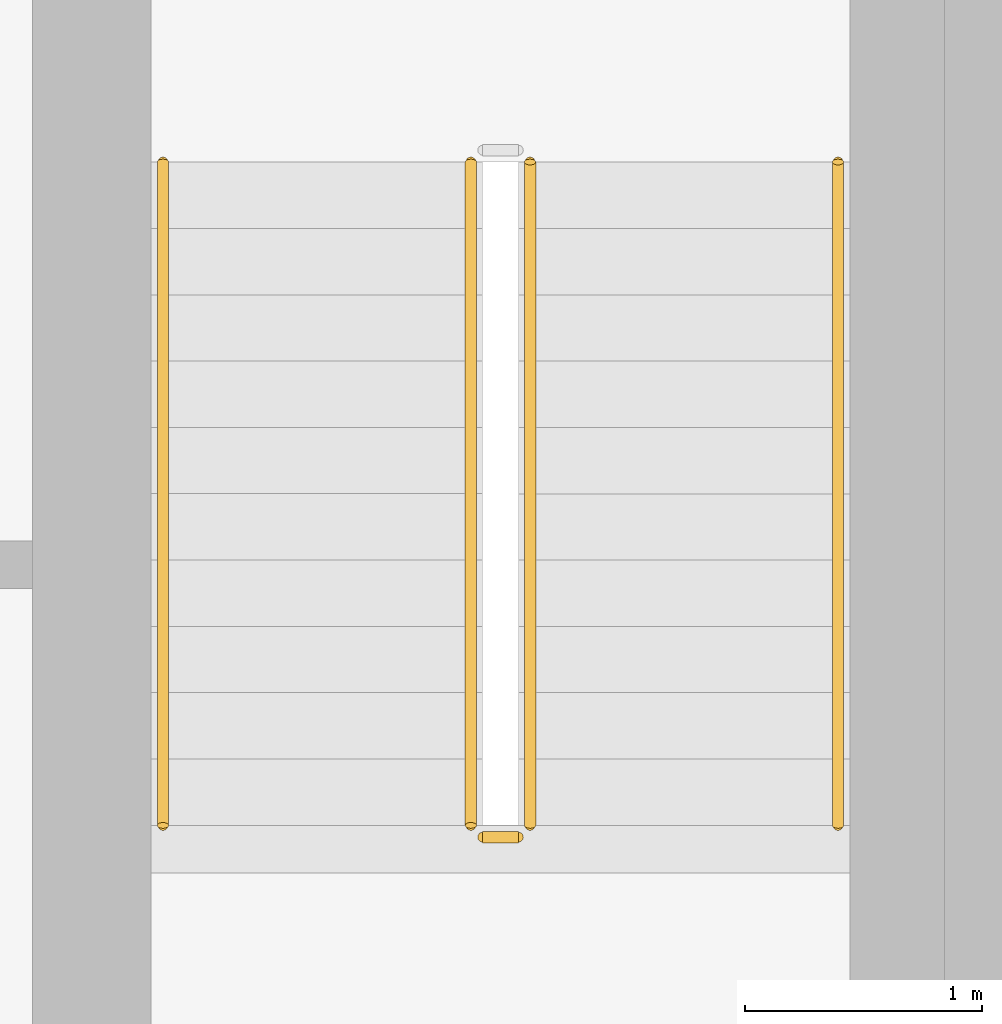
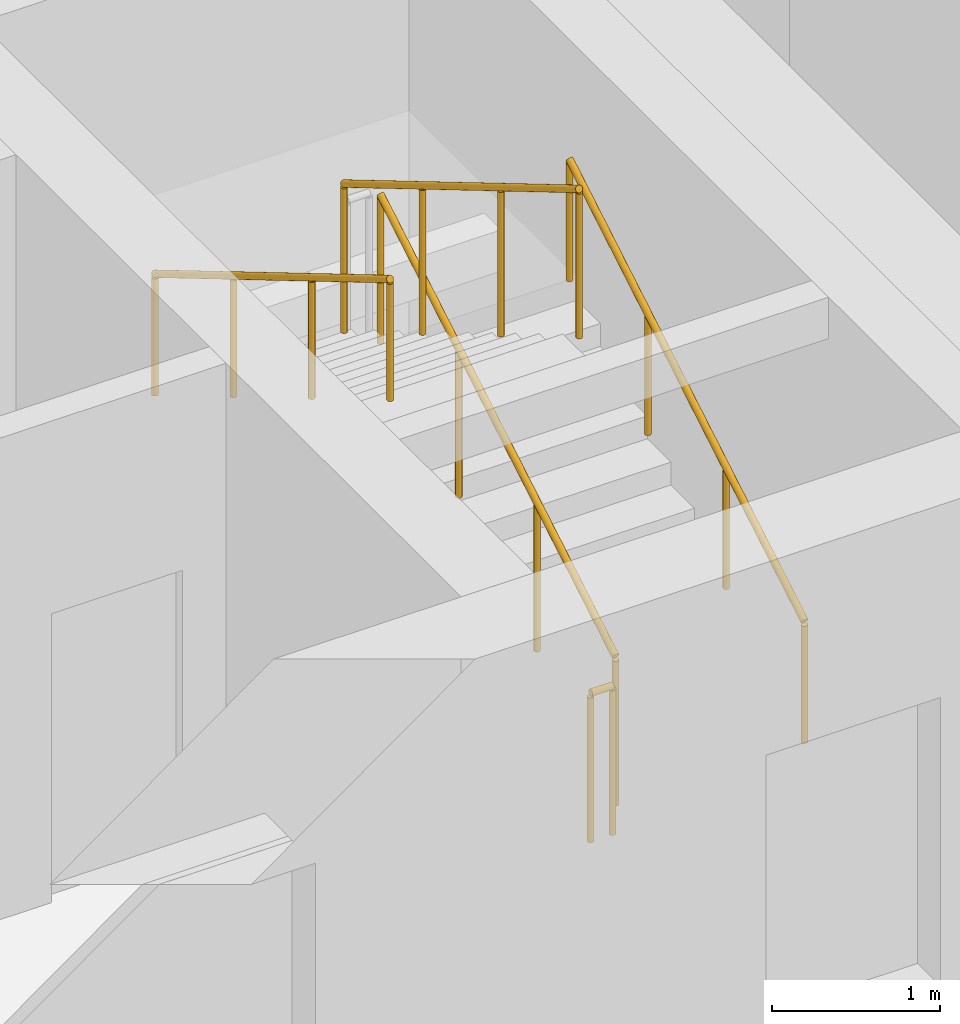
# One storey, part 13 of 15: 5 railings.
"""IFC4 building model written with IfcOpenShell, lengths in metres."""

from ifc_helpers import new_model, si_unit, direction, frame, origin, origin_2d, place, context, subcontext, project, spatial, circle, extrude, material, type_object, element, save


model = new_model("IFC4")

# Units and contexts
model_context = context("Model", 3, precision=1e-05, world=origin(), true_north=direction((0.0, 1.0)))
body_context = subcontext(model_context, "Body", "Model", "MODEL_VIEW")
ifc_project = project(units=[si_unit("LENGTHUNIT", "METRE"), si_unit("AREAUNIT", "SQUARE_METRE"), si_unit("VOLUMEUNIT", "CUBIC_METRE"), si_unit("PLANEANGLEUNIT", "RADIAN"), si_unit("MASSUNIT", "GRAM", prefix="KILO")], contexts=[model_context])

# Site, building, storey
site_placement = place(None, origin())
site = spatial("IfcSite", under=ifc_project, at=site_placement, CompositionType="ELEMENT")
building_placement = place(site_placement, origin())
building = spatial("IfcBuilding", under=site, at=building_placement, Name="Isthmus Gate Tower", CompositionType="ELEMENT")
storey_placement = place(building_placement, frame((0.0, 0.0, 245.5)))
storey = spatial("IfcBuildingStorey", under=building, at=storey_placement, Name="L62", CompositionType="ELEMENT", Elevation=245.5)

# Railings
ifc_material_1 = material(Name="Stainless steel balustrade", Category="steel")
railing_type_1 = type_object("IfcRailingType", Name="STAIR GUARD 1100", PredefinedType="GUARDRAIL", material=ifc_material_1)
railing_1_placement = place(storey_placement, frame((12.64990234375, 2.39990234375, 0.166015625)))
element("IfcRailing", 1, at=railing_1_placement, inside=storey, type_object=railing_type_1, Name="L62 ST8 stair guard 1", PredefinedType="GUARDRAIL", context=body_context, shape_type="SweptSolid", body=[
    extrude(circle(Radius=0.02392578125, at=origin_2d()), frame((0.0, 0.0, 1.076171875), z_axis=(0.0, 0.860339051648, 0.50972219513), x_axis=(-1.0, 0.0, 0.0)), (0.0, 0.0, 1.0), 3.254638671875),
    extrude(circle(Radius=0.02099609375, at=origin_2d()), origin(), (0.0, 0.0, 1.0), 1.052001953125),
    extrude(circle(Radius=0.02099609375, at=origin_2d()), frame((0.0, 0.933349609375, 0.552978515625)), (0.0, 0.0, 1.0), 1.052001953125),
    extrude(circle(Radius=0.02099609375, at=origin_2d()), frame((0.0, 1.86669921875, 1.10595703125)), (0.0, 0.0, 1.0), 1.052001953125),
    extrude(circle(Radius=0.02099609375, at=origin_2d()), frame((0.0, 2.800048828125, 1.658935546875)), (0.0, 0.0, 1.0), 1.052001953125),
])
railing_2_placement = place(storey_placement, frame((12.39990234375, 5.199951171875, 1.990966796875)))
element("IfcRailing", 2, at=railing_2_placement, inside=storey, type_object=railing_type_1, Name="L62 ST8 stair guard 3", PredefinedType="GUARDRAIL", context=body_context, shape_type="SweptSolid", body=[
    extrude(circle(Radius=0.02392578125, at=origin_2d()), frame((0.0, 0.0, 1.076171875), z_axis=(0.0, -0.860339051648, 0.50972219513), x_axis=(1.0, 0.0, 0.0)), (0.0, 0.0, 1.0), 3.254638671875),
    extrude(circle(Radius=0.02099609375, at=origin_2d()), origin(), (0.0, 0.0, 1.0), 1.052001953125),
    extrude(circle(Radius=0.02099609375, at=origin_2d()), frame((0.0, -0.933349609375, 0.552978515625)), (0.0, 0.0, 1.0), 1.052001953125),
    extrude(circle(Radius=0.02099609375, at=origin_2d()), frame((0.0, -1.86669921875, 1.10595703125)), (0.0, 0.0, 1.0), 1.052001953125),
    extrude(circle(Radius=0.02099609375, at=origin_2d()), frame((0.0, -2.800048828125, 1.658935546875)), (0.0, 0.0, 1.0), 1.052001953125),
])
railing_3_placement = place(storey_placement, frame((12.60009765625, 2.35009765625, 0.0)))
element("IfcRailing", 3, at=railing_3_placement, inside=storey, type_object=railing_type_1, Name="L62 ST8 stair guard 4", PredefinedType="GUARDRAIL", context=body_context, shape_type="SweptSolid", body=[
    extrude(circle(Radius=0.02392578125, at=origin_2d()), frame((0.0, 0.0, 1.076171875), z_axis=(-1.0, 0.0, 0.0), x_axis=(0.0, -1.0, 0.0)), (0.0, 0.0, 1.0), 0.150146484375),
    extrude(circle(Radius=0.02099609375, at=origin_2d()), origin(), (0.0, 0.0, 1.0), 1.052001953125),
    extrude(circle(Radius=0.02099609375, at=origin_2d()), frame((-0.150146484375, 0.0, 0.0)), (0.0, 0.0, 1.0), 1.052001953125),
])
ifc_material_2 = material(Name="Stainless steel handrail", Category="steel")
railing_type_2 = type_object("IfcRailingType", Name="STAIR HANDRAIL 900", PredefinedType="HANDRAIL", material=ifc_material_2)
railing_4_placement = place(storey_placement, frame((13.949951171875, 2.39990234375, 0.166015625)))
element("IfcRailing", 4, at=railing_4_placement, inside=storey, type_object=railing_type_2, Name="L62 ST8 stair handrail 1", PredefinedType="HANDRAIL", context=body_context, shape_type="SweptSolid", body=[
    extrude(circle(Radius=0.02392578125, at=origin_2d()), frame((0.0, 0.0, 0.8759765625), z_axis=(0.0, 0.860339051648, 0.50972219513), x_axis=(-1.0, 0.0, 0.0)), (0.0, 0.0, 1.0), 3.254638671875),
    extrude(circle(Radius=0.02099609375, at=origin_2d()), origin(), (0.0, 0.0, 1.0), 0.851806640625),
    extrude(circle(Radius=0.02099609375, at=origin_2d()), frame((0.0, 0.933349609375, 0.552978515625)), (0.0, 0.0, 1.0), 0.851806640625),
    extrude(circle(Radius=0.02099609375, at=origin_2d()), frame((0.0, 1.86669921875, 1.10595703125)), (0.0, 0.0, 1.0), 0.851806640625),
    extrude(circle(Radius=0.02099609375, at=origin_2d()), frame((0.0, 2.800048828125, 1.658935546875)), (0.0, 0.0, 1.0), 0.851806640625),
])
railing_5_placement = place(storey_placement, frame((11.10009765625, 5.199951171875, 1.990966796875)))
element("IfcRailing", 5, at=railing_5_placement, inside=storey, type_object=railing_type_2, Name="L62 ST8 stair handrail 2", PredefinedType="HANDRAIL", context=body_context, shape_type="SweptSolid", body=[
    extrude(circle(Radius=0.02392578125, at=origin_2d()), frame((0.0, 0.0, 0.8759765625), z_axis=(0.0, -0.860339051648, 0.50972219513), x_axis=(1.0, 0.0, 0.0)), (0.0, 0.0, 1.0), 3.254638671875),
    extrude(circle(Radius=0.02099609375, at=origin_2d()), origin(), (0.0, 0.0, 1.0), 0.851806640625),
    extrude(circle(Radius=0.02099609375, at=origin_2d()), frame((0.0, -0.933349609375, 0.552978515625)), (0.0, 0.0, 1.0), 0.851806640625),
    extrude(circle(Radius=0.02099609375, at=origin_2d()), frame((0.0, -1.86669921875, 1.10595703125)), (0.0, 0.0, 1.0), 0.851806640625),
    extrude(circle(Radius=0.02099609375, at=origin_2d()), frame((0.0, -2.800048828125, 1.658935546875)), (0.0, 0.0, 1.0), 0.851806640625),
])

save(model, "model.ifc")
